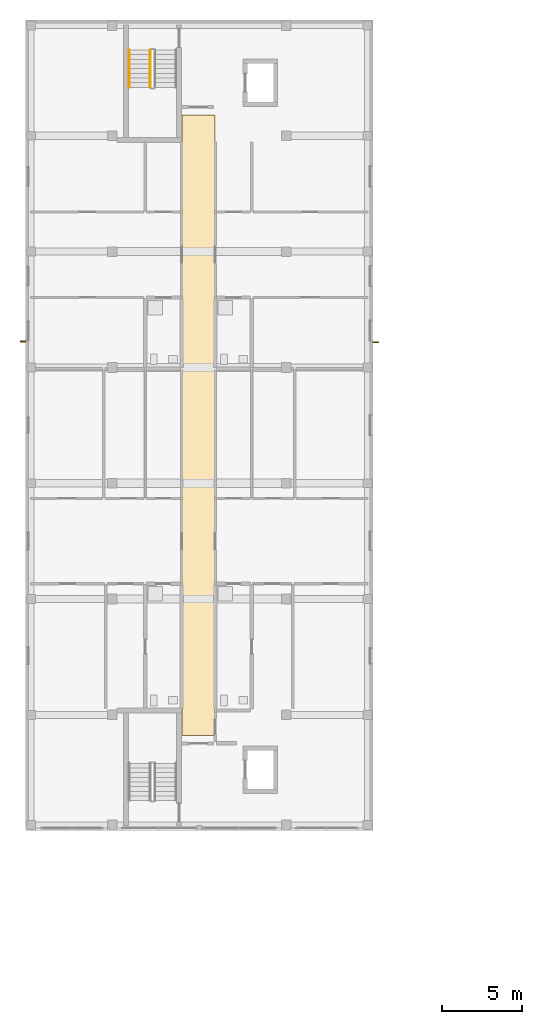
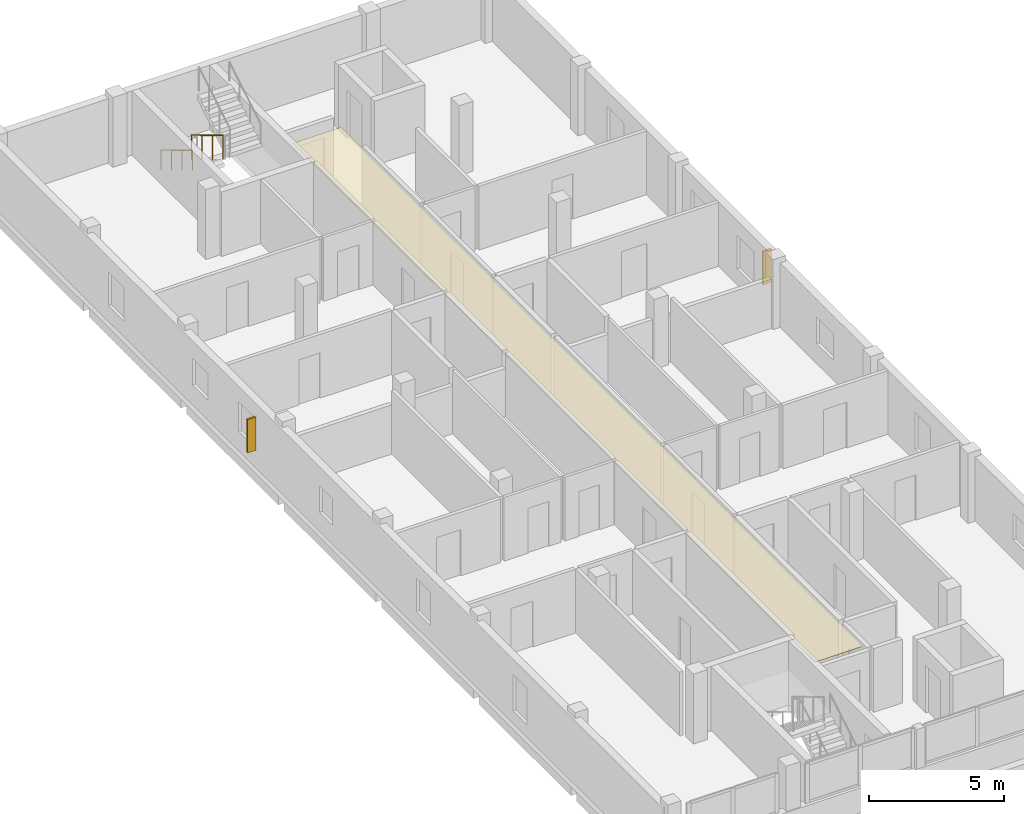
# One storey, part 30 of 38: 2 railings, 2 shading devices, 1 covering.
"""IFC4 building model written with IfcOpenShell, lengths in metres."""

from ifc_helpers import new_model, si_unit, derived_unit, direction, frame, origin, origin_2d, place, context, subcontext, project, spatial, polyline, rectangle, circle, outline, extrude, material, layer, layer_set, type_object, element, save


model = new_model("IFC4")

# Units and contexts
model_context = context("Model", 3, precision=1e-05, world=origin(), true_north=direction((0.0, 1.0)))
body_context = subcontext(model_context, "Body", "Model", "MODEL_VIEW")
ifc_project = project(units=[si_unit("LENGTHUNIT", "METRE"), si_unit("AREAUNIT", "SQUARE_METRE"), si_unit("VOLUMEUNIT", "CUBIC_METRE"), si_unit("PLANEANGLEUNIT", "RADIAN"), si_unit("MASSUNIT", "GRAM", prefix="KILO"), derived_unit("THERMALTRANSMITTANCEUNIT", [(si_unit("MASSUNIT", "GRAM", prefix="KILO"), 1), (si_unit("TIMEUNIT", "SECOND"), -3), (si_unit("THERMODYNAMICTEMPERATUREUNIT", "KELVIN"), -1)])], contexts=[model_context])

# Site, building, storey
site_placement = place(None, origin())
site = spatial("IfcSite", under=ifc_project, at=site_placement, CompositionType="ELEMENT")
building_placement = place(site_placement, origin())
building = spatial("IfcBuilding", under=site, at=building_placement, Name="Ochrekiln Boulevard Commons", CompositionType="ELEMENT")
storey_placement = place(building_placement, frame((0.0, 0.0, 24.675048828125)))
storey = spatial("IfcBuildingStorey", under=building, at=storey_placement, Name="L07", CompositionType="ELEMENT", Elevation=24.675048828125)

# Covering
ifc_material_1 = material(Name="Mineral-fibre acoustic ceiling tile")
ifc_layer = layer(ifc_material_1, 0.02490234375)
ifc_layer_set = layer_set([ifc_layer], Name="Mineral-fibre acoustic ceiling tile")
covering_type = type_object("IfcCoveringType", Name="COV-CEIL-AC", PredefinedType="CEILING", material=ifc_layer_set)
covering_placement = place(storey_placement, frame((0.0, 0.0, 2.64990234375)))
element("IfcCovering", 1, at=covering_placement, inside=storey, type_object=covering_type, Name="L07 Acoustic Corridor Ceiling 55", PredefinedType="CEILING", context=body_context, shape_type="SweptSolid", body=[
    extrude(outline(polyline([(9.719970703125, 74.320068359375), (11.780029296875, 74.320068359375), (11.780029296875, 112.8798828125), (9.719970703125, 112.8798828125), (9.719970703125, 74.320068359375)])), origin(), (0.0, 0.0, 1.0), 0.025146484375),
])

# Railings
ifc_material_2 = material(Name="Brushed stainless steel 316 tubular railing", Category="steel")
railing_type_1 = type_object("IfcRailingType", Name="RLG-HDR-900", PredefinedType="HANDRAIL", material=ifc_material_2)
railing_1_placement = place(storey_placement, frame((6.449951171875, 116.929931640625, 0.175048828125)))
element("IfcRailing", 2, at=railing_1_placement, inside=storey, type_object=railing_type_1, Name="L07 ST-A2 stair handrail 1", PredefinedType="HANDRAIL", context=body_context, shape_type="SweptSolid", body=[
    extrude(circle(Radius=0.02392578125, at=origin_2d()), frame((0.0, 0.0, 0.8759765625), z_axis=(0.0, -0.856186286599, 0.516667245565), x_axis=(1.0, 0.0, 0.0)), (0.0, 0.0, 1.0), 2.70947265625),
    extrude(circle(Radius=0.02099609375, at=origin_2d()), origin(), (0.0, 0.0, 1.0), 0.851806640625),
    extrude(circle(Radius=0.02099609375, at=origin_2d()), frame((0.0, -0.773193359375, 0.466552734375)), (0.0, 0.0, 1.0), 0.851806640625),
    extrude(circle(Radius=0.02099609375, at=origin_2d()), frame((0.0, -1.546630859375, 0.933349609375)), (0.0, 0.0, 1.0), 0.851806640625),
    extrude(circle(Radius=0.02099609375, at=origin_2d()), frame((0.0, -2.31982421875, 1.39990234375)), (0.0, 0.0, 1.0), 0.851806640625),
])
railing_type_2 = type_object("IfcRailingType", Name="RLG-STR-1120", PredefinedType="BALUSTRADE", material=ifc_material_2)
railing_2_placement = place(storey_placement, frame((7.75, 116.929931640625, 0.175048828125)))
element("IfcRailing", 3, at=railing_2_placement, inside=storey, type_object=railing_type_2, Name="L07 ST-A2 stair guard 1", PredefinedType="BALUSTRADE", context=body_context, shape_type="SweptSolid", body=[
    extrude(circle(Radius=0.02392578125, at=origin_2d()), frame((0.0, 0.0, 1.09619140625), z_axis=(0.0, -0.856186286599, 0.516667245565), x_axis=(1.0, 0.0, 0.0)), (0.0, 0.0, 1.0), 2.70947265625),
    extrude(circle(Radius=0.02099609375, at=origin_2d()), origin(), (0.0, 0.0, 1.0), 1.072021484375),
    extrude(circle(Radius=0.02099609375, at=origin_2d()), frame((0.0, -0.773193359375, 0.466552734375)), (0.0, 0.0, 1.0), 1.072021484375),
    extrude(circle(Radius=0.02099609375, at=origin_2d()), frame((0.0, -1.546630859375, 0.933349609375)), (0.0, 0.0, 1.0), 1.072021484375),
    extrude(circle(Radius=0.02099609375, at=origin_2d()), frame((0.0, -2.31982421875, 1.39990234375)), (0.0, 0.0, 1.0), 1.072021484375),
])

# Shading devices
ifc_material_3 = material(Name="Glazed architectural terracotta ASTM C1405", Category="masonry")
shading_device_type = type_object("IfcShadingDeviceType", Name="SHD-FIN-TERRA", PredefinedType="JALOUSIE", material=ifc_material_3)
for number, where, z_axis, x_axis, name in (
    (4, (-0.169921875, 98.81396484375, 0.7900390625), (0.0, 0.0, 1.0), (1.0, 0.0, 0.0), "Terracotta Solar Shading Fin SF-01 (12)"),
    (5, (21.77001953125, 98.763916015625, 0.71484375), (0.0, 0.0, 1.0), (1.0, 0.0, 0.0), "Terracotta Solar Shading Fin SF-01 (13)"),
):
    element("IfcShadingDevice", number, at=place(storey_placement, frame(where, z_axis=z_axis, x_axis=x_axis)), inside=storey, type_object=shading_device_type, Name=name, PredefinedType="JALOUSIE", context=body_context, shape_type="SweptSolid", body=[
        extrude(rectangle(XDim=0.35009765625, YDim=0.080078125, at=origin_2d()), origin(), (0.0, 0.0, 1.0), 1.5),
    ])

save(model, "model.ifc")
